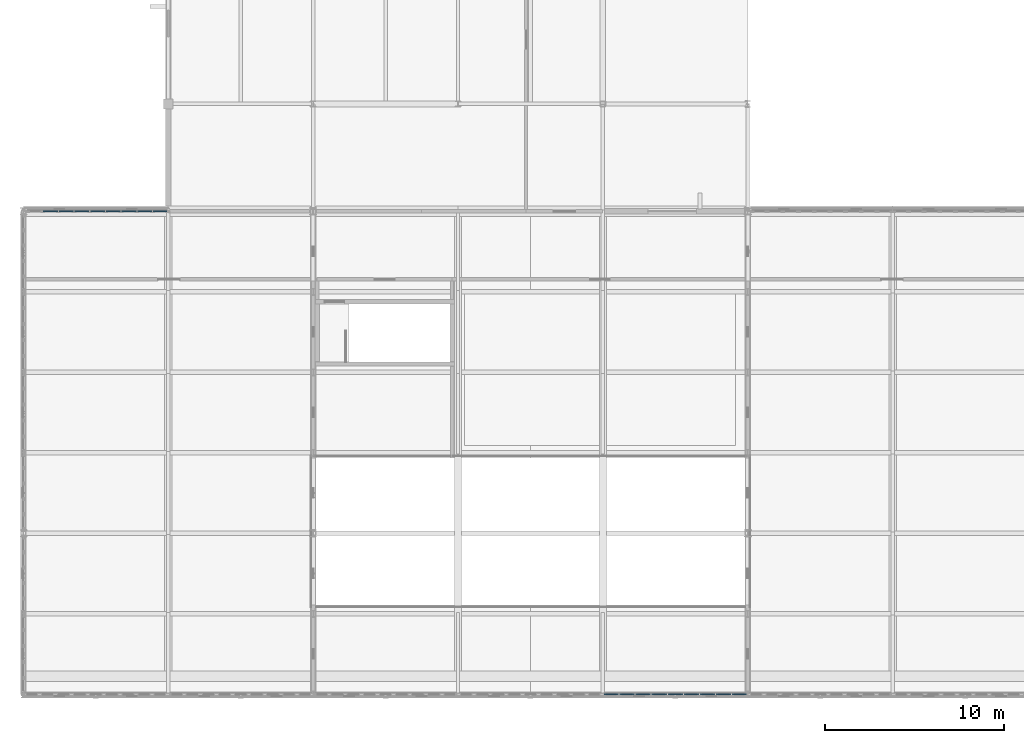
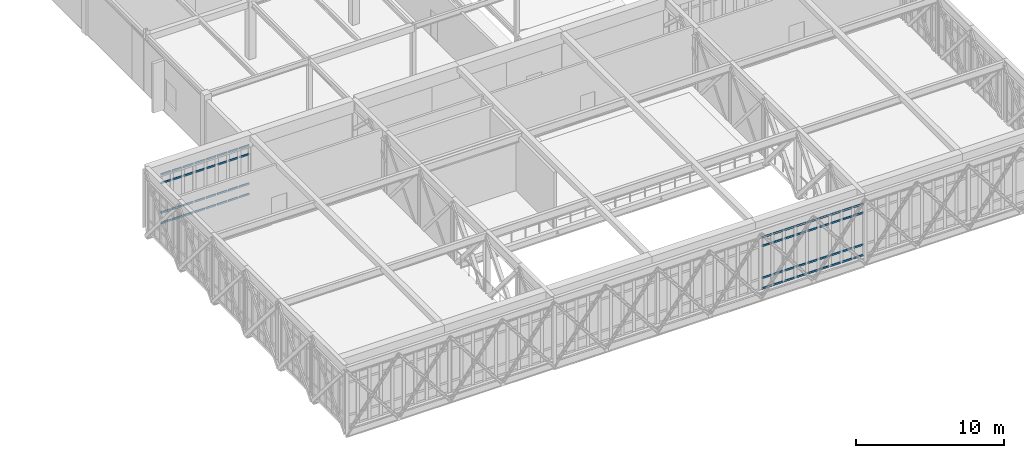
# One storey, part 31 of 70: 68 members, 2 elements without a shape of their own.
"""IFC4 building model written with IfcOpenShell, lengths in metres."""

from ifc_helpers import new_model, si_unit, direction, frame, origin, origin_2d, place, context, subcontext, project, spatial, rectangle, extrude, material, material_profile, profile_set, type_object, element, aggregate, save


model = new_model("IFC4")

# Units and contexts
model_context = context("Model", 3, precision=1e-05, world=origin(), true_north=direction((0.0, 1.0)))
body_context = subcontext(model_context, "Body", "Model", "MODEL_VIEW")
ifc_project = project(units=[si_unit("LENGTHUNIT", "METRE"), si_unit("AREAUNIT", "SQUARE_METRE"), si_unit("VOLUMEUNIT", "CUBIC_METRE"), si_unit("PLANEANGLEUNIT", "RADIAN"), si_unit("MASSUNIT", "GRAM", prefix="KILO")], contexts=[model_context])

# Site, building, storey
site_placement = place(None, origin())
site = spatial("IfcSite", under=ifc_project, at=site_placement, CompositionType="ELEMENT")
building_placement = place(site_placement, origin())
building = spatial("IfcBuilding", under=site, at=building_placement, Name="Tarnveldt Square Police Headquarters", CompositionType="ELEMENT")
storey_placement = place(building_placement, frame((0.0, 0.0, 19.800048828125)))
storey = spatial("IfcBuildingStorey", under=building, at=storey_placement, Name="L04", CompositionType="ELEMENT", Elevation=19.800048828125)

# Curtain wall, members
ifc_material_1 = material(Name="UL 752 Level III laminated ballistic vision glass", Category="glass")
curtain_wall_type_1 = type_object("IfcCurtainWallType", Name="CW-BL-810x429", PredefinedType="USERDEFINED", material=ifc_material_1)
curtain_wall_1_placement = place(storey_placement, origin())
curtain_wall_1 = element("IfcCurtainWall", 1, at=curtain_wall_1_placement, inside=storey, type_object=curtain_wall_type_1, Name="L04 Curtain Wall CW-L04-044", ObjectType="BALLISTIC CURTAIN WALL", PredefinedType="USERDEFINED")
ifc_material_2 = material(Name="Thermally broken anodised aluminium 6063-T6", Category="aluminium")
ifc_material_profile = material_profile(ifc_material_2, rectangle(XDim=0.074951171875, YDim=0.14990234375, at=origin_2d()), Name="CW-T75x150")
ifc_profile_set = profile_set([ifc_material_profile], Name="Thermally broken anodised aluminium 6063-T6")
member_type = type_object("IfcMemberType", Name="CWT-75x150", PredefinedType="USERDEFINED", material=ifc_profile_set)
member_1_placement = place(storey_placement, frame((40.5849609375, 7.0, 0.037353515625), z_axis=(1.0, 0.0, 0.0), x_axis=(0.0, 1.0, 0.0)))
member_1 = element("IfcMember", 2, at=member_1_placement, type_object=member_type, Name="CW-BL18 transom 1.1", ObjectType="TRANSOM", PredefinedType="USERDEFINED", context=body_context, shape_type="SweptSolid", body=[
    extrude(rectangle(XDim=0.074951171875, YDim=0.14990234375, at=origin_2d()), origin(), (0.0, 0.0, 1.0), 0.7724609375),
])
member_2_placement = place(storey_placement, frame((40.5849609375, 7.0, 0.89990234375), z_axis=(1.0, 0.0, 0.0), x_axis=(0.0, 1.0, 0.0)))
member_2 = element("IfcMember", 3, at=member_2_placement, type_object=member_type, Name="CW-BL18 transom 1.2", ObjectType="TRANSOM", PredefinedType="USERDEFINED", context=body_context, shape_type="SweptSolid", body=[
    extrude(rectangle(XDim=0.074951171875, YDim=0.14990234375, at=origin_2d()), origin(), (0.0, 0.0, 1.0), 0.7724609375),
])
member_3_placement = place(storey_placement, frame((40.5849609375, 7.0, 3.538330078125), z_axis=(1.0, 0.0, 0.0), x_axis=(0.0, 1.0, 0.0)))
member_3 = element("IfcMember", 4, at=member_3_placement, type_object=member_type, Name="CW-BL18 transom 1.3", ObjectType="TRANSOM", PredefinedType="USERDEFINED", context=body_context, shape_type="SweptSolid", body=[
    extrude(rectangle(XDim=0.074951171875, YDim=0.14990234375, at=origin_2d()), origin(), (0.0, 0.0, 1.0), 0.7724609375),
])
member_4_placement = place(storey_placement, frame((40.5849609375, 7.0, 4.2509765625), z_axis=(1.0, 0.0, 0.0), x_axis=(0.0, 1.0, 0.0)))
member_4 = element("IfcMember", 5, at=member_4_placement, type_object=member_type, Name="CW-BL18 transom 1.4", ObjectType="TRANSOM", PredefinedType="USERDEFINED", context=body_context, shape_type="SweptSolid", body=[
    extrude(rectangle(XDim=0.074951171875, YDim=0.14990234375, at=origin_2d()), origin(), (0.0, 0.0, 1.0), 0.7724609375),
])
member_5_placement = place(storey_placement, frame((41.4423828125, 7.0, 0.037353515625), z_axis=(1.0, 0.0, 0.0), x_axis=(0.0, 1.0, 0.0)))
member_5 = element("IfcMember", 6, at=member_5_placement, type_object=member_type, Name="CW-BL18 transom 2.1", ObjectType="TRANSOM", PredefinedType="USERDEFINED", context=body_context, shape_type="SweptSolid", body=[
    extrude(rectangle(XDim=0.074951171875, YDim=0.14990234375, at=origin_2d()), origin(), (0.0, 0.0, 1.0), 0.815185546875),
])
member_6_placement = place(storey_placement, frame((41.4423828125, 7.0, 0.89990234375), z_axis=(1.0, 0.0, 0.0), x_axis=(0.0, 1.0, 0.0)))
member_6 = element("IfcMember", 7, at=member_6_placement, type_object=member_type, Name="CW-BL18 transom 2.2", ObjectType="TRANSOM", PredefinedType="USERDEFINED", context=body_context, shape_type="SweptSolid", body=[
    extrude(rectangle(XDim=0.074951171875, YDim=0.14990234375, at=origin_2d()), origin(), (0.0, 0.0, 1.0), 0.815185546875),
])
member_7_placement = place(storey_placement, frame((41.4423828125, 7.0, 3.538330078125), z_axis=(1.0, 0.0, 0.0), x_axis=(0.0, 1.0, 0.0)))
member_7 = element("IfcMember", 8, at=member_7_placement, type_object=member_type, Name="CW-BL18 transom 2.3", ObjectType="TRANSOM", PredefinedType="USERDEFINED", context=body_context, shape_type="SweptSolid", body=[
    extrude(rectangle(XDim=0.074951171875, YDim=0.14990234375, at=origin_2d()), origin(), (0.0, 0.0, 1.0), 0.815185546875),
])
member_8_placement = place(storey_placement, frame((41.4423828125, 7.0, 4.2509765625), z_axis=(1.0, 0.0, 0.0), x_axis=(0.0, 1.0, 0.0)))
member_8 = element("IfcMember", 9, at=member_8_placement, type_object=member_type, Name="CW-BL18 transom 2.4", ObjectType="TRANSOM", PredefinedType="USERDEFINED", context=body_context, shape_type="SweptSolid", body=[
    extrude(rectangle(XDim=0.074951171875, YDim=0.14990234375, at=origin_2d()), origin(), (0.0, 0.0, 1.0), 0.815185546875),
])
member_9_placement = place(storey_placement, frame((42.342529296875, 7.0, 0.037353515625), z_axis=(1.0, 0.0, 0.0), x_axis=(0.0, 1.0, 0.0)))
member_9 = element("IfcMember", 10, at=member_9_placement, type_object=member_type, Name="CW-BL18 transom 3.1", ObjectType="TRANSOM", PredefinedType="USERDEFINED", context=body_context, shape_type="SweptSolid", body=[
    extrude(rectangle(XDim=0.074951171875, YDim=0.14990234375, at=origin_2d()), origin(), (0.0, 0.0, 1.0), 0.81494140625),
])
member_10_placement = place(storey_placement, frame((42.342529296875, 7.0, 0.89990234375), z_axis=(1.0, 0.0, 0.0), x_axis=(0.0, 1.0, 0.0)))
member_10 = element("IfcMember", 11, at=member_10_placement, type_object=member_type, Name="CW-BL18 transom 3.2", ObjectType="TRANSOM", PredefinedType="USERDEFINED", context=body_context, shape_type="SweptSolid", body=[
    extrude(rectangle(XDim=0.074951171875, YDim=0.14990234375, at=origin_2d()), origin(), (0.0, 0.0, 1.0), 0.81494140625),
])
member_11_placement = place(storey_placement, frame((42.342529296875, 7.0, 3.538330078125), z_axis=(1.0, 0.0, 0.0), x_axis=(0.0, 1.0, 0.0)))
member_11 = element("IfcMember", 12, at=member_11_placement, type_object=member_type, Name="CW-BL18 transom 3.3", ObjectType="TRANSOM", PredefinedType="USERDEFINED", context=body_context, shape_type="SweptSolid", body=[
    extrude(rectangle(XDim=0.074951171875, YDim=0.14990234375, at=origin_2d()), origin(), (0.0, 0.0, 1.0), 0.81494140625),
])
member_12_placement = place(storey_placement, frame((42.342529296875, 7.0, 4.2509765625), z_axis=(1.0, 0.0, 0.0), x_axis=(0.0, 1.0, 0.0)))
member_12 = element("IfcMember", 13, at=member_12_placement, type_object=member_type, Name="CW-BL18 transom 3.4", ObjectType="TRANSOM", PredefinedType="USERDEFINED", context=body_context, shape_type="SweptSolid", body=[
    extrude(rectangle(XDim=0.074951171875, YDim=0.14990234375, at=origin_2d()), origin(), (0.0, 0.0, 1.0), 0.81494140625),
])
member_13_placement = place(storey_placement, frame((43.242431640625, 7.0, 0.037353515625), z_axis=(1.0, 0.0, 0.0), x_axis=(0.0, 1.0, 0.0)))
member_13 = element("IfcMember", 14, at=member_13_placement, type_object=member_type, Name="CW-BL18 transom 4.1", ObjectType="TRANSOM", PredefinedType="USERDEFINED", context=body_context, shape_type="SweptSolid", body=[
    extrude(rectangle(XDim=0.074951171875, YDim=0.14990234375, at=origin_2d()), origin(), (0.0, 0.0, 1.0), 0.815185546875),
])
member_14_placement = place(storey_placement, frame((43.242431640625, 7.0, 0.89990234375), z_axis=(1.0, 0.0, 0.0), x_axis=(0.0, 1.0, 0.0)))
member_14 = element("IfcMember", 15, at=member_14_placement, type_object=member_type, Name="CW-BL18 transom 4.2", ObjectType="TRANSOM", PredefinedType="USERDEFINED", context=body_context, shape_type="SweptSolid", body=[
    extrude(rectangle(XDim=0.074951171875, YDim=0.14990234375, at=origin_2d()), origin(), (0.0, 0.0, 1.0), 0.815185546875),
])
member_15_placement = place(storey_placement, frame((43.242431640625, 7.0, 3.538330078125), z_axis=(1.0, 0.0, 0.0), x_axis=(0.0, 1.0, 0.0)))
member_15 = element("IfcMember", 16, at=member_15_placement, type_object=member_type, Name="CW-BL18 transom 4.3", ObjectType="TRANSOM", PredefinedType="USERDEFINED", context=body_context, shape_type="SweptSolid", body=[
    extrude(rectangle(XDim=0.074951171875, YDim=0.14990234375, at=origin_2d()), origin(), (0.0, 0.0, 1.0), 0.815185546875),
])
member_16_placement = place(storey_placement, frame((43.242431640625, 7.0, 4.2509765625), z_axis=(1.0, 0.0, 0.0), x_axis=(0.0, 1.0, 0.0)))
member_16 = element("IfcMember", 17, at=member_16_placement, type_object=member_type, Name="CW-BL18 transom 4.4", ObjectType="TRANSOM", PredefinedType="USERDEFINED", context=body_context, shape_type="SweptSolid", body=[
    extrude(rectangle(XDim=0.074951171875, YDim=0.14990234375, at=origin_2d()), origin(), (0.0, 0.0, 1.0), 0.815185546875),
])
member_17_placement = place(storey_placement, frame((44.142578125, 7.0, 0.037353515625), z_axis=(1.0, 0.0, 0.0), x_axis=(0.0, 1.0, 0.0)))
member_17 = element("IfcMember", 18, at=member_17_placement, type_object=member_type, Name="CW-BL18 transom 5.1", ObjectType="TRANSOM", PredefinedType="USERDEFINED", context=body_context, shape_type="SweptSolid", body=[
    extrude(rectangle(XDim=0.074951171875, YDim=0.14990234375, at=origin_2d()), origin(), (0.0, 0.0, 1.0), 0.81494140625),
])
member_18_placement = place(storey_placement, frame((44.142578125, 7.0, 0.89990234375), z_axis=(1.0, 0.0, 0.0), x_axis=(0.0, 1.0, 0.0)))
member_18 = element("IfcMember", 19, at=member_18_placement, type_object=member_type, Name="CW-BL18 transom 5.2", ObjectType="TRANSOM", PredefinedType="USERDEFINED", context=body_context, shape_type="SweptSolid", body=[
    extrude(rectangle(XDim=0.074951171875, YDim=0.14990234375, at=origin_2d()), origin(), (0.0, 0.0, 1.0), 0.81494140625),
])
member_19_placement = place(storey_placement, frame((44.142578125, 7.0, 3.538330078125), z_axis=(1.0, 0.0, 0.0), x_axis=(0.0, 1.0, 0.0)))
member_19 = element("IfcMember", 20, at=member_19_placement, type_object=member_type, Name="CW-BL18 transom 5.3", ObjectType="TRANSOM", PredefinedType="USERDEFINED", context=body_context, shape_type="SweptSolid", body=[
    extrude(rectangle(XDim=0.074951171875, YDim=0.14990234375, at=origin_2d()), origin(), (0.0, 0.0, 1.0), 0.81494140625),
])
member_20_placement = place(storey_placement, frame((44.142578125, 7.0, 4.2509765625), z_axis=(1.0, 0.0, 0.0), x_axis=(0.0, 1.0, 0.0)))
member_20 = element("IfcMember", 21, at=member_20_placement, type_object=member_type, Name="CW-BL18 transom 5.4", ObjectType="TRANSOM", PredefinedType="USERDEFINED", context=body_context, shape_type="SweptSolid", body=[
    extrude(rectangle(XDim=0.074951171875, YDim=0.14990234375, at=origin_2d()), origin(), (0.0, 0.0, 1.0), 0.81494140625),
])
member_21_placement = place(storey_placement, frame((45.04248046875, 7.0, 0.037353515625), z_axis=(1.0, 0.0, 0.0), x_axis=(0.0, 1.0, 0.0)))
member_21 = element("IfcMember", 22, at=member_21_placement, type_object=member_type, Name="CW-BL18 transom 6.1", ObjectType="TRANSOM", PredefinedType="USERDEFINED", context=body_context, shape_type="SweptSolid", body=[
    extrude(rectangle(XDim=0.074951171875, YDim=0.14990234375, at=origin_2d()), origin(), (0.0, 0.0, 1.0), 0.81494140625),
])
member_22_placement = place(storey_placement, frame((45.04248046875, 7.0, 0.89990234375), z_axis=(1.0, 0.0, 0.0), x_axis=(0.0, 1.0, 0.0)))
member_22 = element("IfcMember", 23, at=member_22_placement, type_object=member_type, Name="CW-BL18 transom 6.2", ObjectType="TRANSOM", PredefinedType="USERDEFINED", context=body_context, shape_type="SweptSolid", body=[
    extrude(rectangle(XDim=0.074951171875, YDim=0.14990234375, at=origin_2d()), origin(), (0.0, 0.0, 1.0), 0.81494140625),
])
member_23_placement = place(storey_placement, frame((45.04248046875, 7.0, 3.538330078125), z_axis=(1.0, 0.0, 0.0), x_axis=(0.0, 1.0, 0.0)))
member_23 = element("IfcMember", 24, at=member_23_placement, type_object=member_type, Name="CW-BL18 transom 6.3", ObjectType="TRANSOM", PredefinedType="USERDEFINED", context=body_context, shape_type="SweptSolid", body=[
    extrude(rectangle(XDim=0.074951171875, YDim=0.14990234375, at=origin_2d()), origin(), (0.0, 0.0, 1.0), 0.81494140625),
])
member_24_placement = place(storey_placement, frame((45.04248046875, 7.0, 4.2509765625), z_axis=(1.0, 0.0, 0.0), x_axis=(0.0, 1.0, 0.0)))
member_24 = element("IfcMember", 25, at=member_24_placement, type_object=member_type, Name="CW-BL18 transom 6.4", ObjectType="TRANSOM", PredefinedType="USERDEFINED", context=body_context, shape_type="SweptSolid", body=[
    extrude(rectangle(XDim=0.074951171875, YDim=0.14990234375, at=origin_2d()), origin(), (0.0, 0.0, 1.0), 0.81494140625),
])
member_25_placement = place(storey_placement, frame((45.9423828125, 7.0, 0.037353515625), z_axis=(1.0, 0.0, 0.0), x_axis=(0.0, 1.0, 0.0)))
member_25 = element("IfcMember", 26, at=member_25_placement, type_object=member_type, Name="CW-BL18 transom 7.1", ObjectType="TRANSOM", PredefinedType="USERDEFINED", context=body_context, shape_type="SweptSolid", body=[
    extrude(rectangle(XDim=0.074951171875, YDim=0.14990234375, at=origin_2d()), origin(), (0.0, 0.0, 1.0), 0.815185546875),
])
member_26_placement = place(storey_placement, frame((45.9423828125, 7.0, 0.89990234375), z_axis=(1.0, 0.0, 0.0), x_axis=(0.0, 1.0, 0.0)))
member_26 = element("IfcMember", 27, at=member_26_placement, type_object=member_type, Name="CW-BL18 transom 7.2", ObjectType="TRANSOM", PredefinedType="USERDEFINED", context=body_context, shape_type="SweptSolid", body=[
    extrude(rectangle(XDim=0.074951171875, YDim=0.14990234375, at=origin_2d()), origin(), (0.0, 0.0, 1.0), 0.815185546875),
])
member_27_placement = place(storey_placement, frame((45.9423828125, 7.0, 3.538330078125), z_axis=(1.0, 0.0, 0.0), x_axis=(0.0, 1.0, 0.0)))
member_27 = element("IfcMember", 28, at=member_27_placement, type_object=member_type, Name="CW-BL18 transom 7.3", ObjectType="TRANSOM", PredefinedType="USERDEFINED", context=body_context, shape_type="SweptSolid", body=[
    extrude(rectangle(XDim=0.074951171875, YDim=0.14990234375, at=origin_2d()), origin(), (0.0, 0.0, 1.0), 0.815185546875),
])
member_28_placement = place(storey_placement, frame((45.9423828125, 7.0, 4.2509765625), z_axis=(1.0, 0.0, 0.0), x_axis=(0.0, 1.0, 0.0)))
member_28 = element("IfcMember", 29, at=member_28_placement, type_object=member_type, Name="CW-BL18 transom 7.4", ObjectType="TRANSOM", PredefinedType="USERDEFINED", context=body_context, shape_type="SweptSolid", body=[
    extrude(rectangle(XDim=0.074951171875, YDim=0.14990234375, at=origin_2d()), origin(), (0.0, 0.0, 1.0), 0.815185546875),
])
member_29_placement = place(storey_placement, frame((46.842529296875, 7.0, 0.037353515625), z_axis=(1.0, 0.0, 0.0), x_axis=(0.0, 1.0, 0.0)))
member_29 = element("IfcMember", 30, at=member_29_placement, type_object=member_type, Name="CW-BL18 transom 8.1", ObjectType="TRANSOM", PredefinedType="USERDEFINED", context=body_context, shape_type="SweptSolid", body=[
    extrude(rectangle(XDim=0.074951171875, YDim=0.14990234375, at=origin_2d()), origin(), (0.0, 0.0, 1.0), 0.81494140625),
])
member_30_placement = place(storey_placement, frame((46.842529296875, 7.0, 0.89990234375), z_axis=(1.0, 0.0, 0.0), x_axis=(0.0, 1.0, 0.0)))
member_30 = element("IfcMember", 31, at=member_30_placement, type_object=member_type, Name="CW-BL18 transom 8.2", ObjectType="TRANSOM", PredefinedType="USERDEFINED", context=body_context, shape_type="SweptSolid", body=[
    extrude(rectangle(XDim=0.074951171875, YDim=0.14990234375, at=origin_2d()), origin(), (0.0, 0.0, 1.0), 0.81494140625),
])
member_31_placement = place(storey_placement, frame((46.842529296875, 7.0, 3.538330078125), z_axis=(1.0, 0.0, 0.0), x_axis=(0.0, 1.0, 0.0)))
member_31 = element("IfcMember", 32, at=member_31_placement, type_object=member_type, Name="CW-BL18 transom 8.3", ObjectType="TRANSOM", PredefinedType="USERDEFINED", context=body_context, shape_type="SweptSolid", body=[
    extrude(rectangle(XDim=0.074951171875, YDim=0.14990234375, at=origin_2d()), origin(), (0.0, 0.0, 1.0), 0.81494140625),
])
member_32_placement = place(storey_placement, frame((46.842529296875, 7.0, 4.2509765625), z_axis=(1.0, 0.0, 0.0), x_axis=(0.0, 1.0, 0.0)))
member_32 = element("IfcMember", 33, at=member_32_placement, type_object=member_type, Name="CW-BL18 transom 8.4", ObjectType="TRANSOM", PredefinedType="USERDEFINED", context=body_context, shape_type="SweptSolid", body=[
    extrude(rectangle(XDim=0.074951171875, YDim=0.14990234375, at=origin_2d()), origin(), (0.0, 0.0, 1.0), 0.81494140625),
])
member_33_placement = place(storey_placement, frame((47.742431640625, 7.0, 0.037353515625), z_axis=(1.0, 0.0, 0.0), x_axis=(0.0, 1.0, 0.0)))
member_33 = element("IfcMember", 34, at=member_33_placement, type_object=member_type, Name="CW-BL18 transom 9.1", ObjectType="TRANSOM", PredefinedType="USERDEFINED", context=body_context, shape_type="SweptSolid", body=[
    extrude(rectangle(XDim=0.074951171875, YDim=0.14990234375, at=origin_2d()), origin(), (0.0, 0.0, 1.0), 0.7724609375),
])
member_34_placement = place(storey_placement, frame((47.742431640625, 7.0, 0.89990234375), z_axis=(1.0, 0.0, 0.0), x_axis=(0.0, 1.0, 0.0)))
member_34 = element("IfcMember", 35, at=member_34_placement, type_object=member_type, Name="CW-BL18 transom 9.2", ObjectType="TRANSOM", PredefinedType="USERDEFINED", context=body_context, shape_type="SweptSolid", body=[
    extrude(rectangle(XDim=0.074951171875, YDim=0.14990234375, at=origin_2d()), origin(), (0.0, 0.0, 1.0), 0.7724609375),
])
member_35_placement = place(storey_placement, frame((47.742431640625, 7.0, 3.538330078125), z_axis=(1.0, 0.0, 0.0), x_axis=(0.0, 1.0, 0.0)))
member_35 = element("IfcMember", 36, at=member_35_placement, type_object=member_type, Name="CW-BL18 transom 9.3", ObjectType="TRANSOM", PredefinedType="USERDEFINED", context=body_context, shape_type="SweptSolid", body=[
    extrude(rectangle(XDim=0.074951171875, YDim=0.14990234375, at=origin_2d()), origin(), (0.0, 0.0, 1.0), 0.7724609375),
])
member_36_placement = place(storey_placement, frame((47.742431640625, 7.0, 4.2509765625), z_axis=(1.0, 0.0, 0.0), x_axis=(0.0, 1.0, 0.0)))
member_36 = element("IfcMember", 37, at=member_36_placement, type_object=member_type, Name="CW-BL18 transom 9.4", ObjectType="TRANSOM", PredefinedType="USERDEFINED", context=body_context, shape_type="SweptSolid", body=[
    extrude(rectangle(XDim=0.074951171875, YDim=0.14990234375, at=origin_2d()), origin(), (0.0, 0.0, 1.0), 0.7724609375),
])
aggregate(curtain_wall_1, [member_1, member_2, member_3, member_4, member_5, member_6, member_7, member_8, member_9, member_10, member_11, member_12, member_13, member_14, member_15, member_16, member_17, member_18, member_19, member_20, member_21, member_22, member_23, member_24, member_25, member_26, member_27, member_28, member_29, member_30, member_31, member_32, member_33, member_34, member_35, member_36])

curtain_wall_type_2 = type_object("IfcCurtainWallType", Name="CW-BL-790x409", PredefinedType="USERDEFINED", material=ifc_material_1)
curtain_wall_2_placement = place(storey_placement, origin())
curtain_wall_2 = element("IfcCurtainWall", 38, at=curtain_wall_2_placement, inside=storey, type_object=curtain_wall_type_2, Name="L04 Curtain Wall CW-L04-047", ObjectType="BALLISTIC CURTAIN WALL", PredefinedType="USERDEFINED")
member_37_placement = place(storey_placement, frame((9.22216796875, 34.0, 0.037353515625), z_axis=(1.0, 0.0, 0.0), x_axis=(0.0, 1.0, 0.0)))
member_37 = element("IfcMember", 39, at=member_37_placement, type_object=member_type, Name="CW-BL19 transom 2.1", ObjectType="TRANSOM", PredefinedType="USERDEFINED", context=body_context, shape_type="SweptSolid", body=[
    extrude(rectangle(XDim=0.074951171875, YDim=0.14990234375, at=origin_2d()), origin(), (0.0, 0.0, 1.0), 0.79248046875),
])
member_38_placement = place(storey_placement, frame((9.22216796875, 34.0, 0.89990234375), z_axis=(1.0, 0.0, 0.0), x_axis=(0.0, 1.0, 0.0)))
member_38 = element("IfcMember", 40, at=member_38_placement, type_object=member_type, Name="CW-BL19 transom 2.2", ObjectType="TRANSOM", PredefinedType="USERDEFINED", context=body_context, shape_type="SweptSolid", body=[
    extrude(rectangle(XDim=0.074951171875, YDim=0.14990234375, at=origin_2d()), origin(), (0.0, 0.0, 1.0), 0.79248046875),
])
member_39_placement = place(storey_placement, frame((9.22216796875, 34.0, 3.342041015625), z_axis=(1.0, 0.0, 0.0), x_axis=(0.0, 1.0, 0.0)))
member_39 = element("IfcMember", 41, at=member_39_placement, type_object=member_type, Name="CW-BL19 transom 2.3", ObjectType="TRANSOM", PredefinedType="USERDEFINED", context=body_context, shape_type="SweptSolid", body=[
    extrude(rectangle(XDim=0.074951171875, YDim=0.14990234375, at=origin_2d()), origin(), (0.0, 0.0, 1.0), 0.79248046875),
])
member_40_placement = place(storey_placement, frame((9.22216796875, 34.0, 4.054443359375), z_axis=(1.0, 0.0, 0.0), x_axis=(0.0, 1.0, 0.0)))
member_40 = element("IfcMember", 42, at=member_40_placement, type_object=member_type, Name="CW-BL19 transom 2.4", ObjectType="TRANSOM", PredefinedType="USERDEFINED", context=body_context, shape_type="SweptSolid", body=[
    extrude(rectangle(XDim=0.074951171875, YDim=0.14990234375, at=origin_2d()), origin(), (0.0, 0.0, 1.0), 0.79248046875),
])
member_41_placement = place(storey_placement, frame((10.099609375, 34.0, 0.037353515625), z_axis=(1.0, 0.0, 0.0), x_axis=(0.0, 1.0, 0.0)))
member_41 = element("IfcMember", 43, at=member_41_placement, type_object=member_type, Name="CW-BL19 transom 3.1", ObjectType="TRANSOM", PredefinedType="USERDEFINED", context=body_context, shape_type="SweptSolid", body=[
    extrude(rectangle(XDim=0.074951171875, YDim=0.14990234375, at=origin_2d()), origin(), (0.0, 0.0, 1.0), 0.79248046875),
])
member_42_placement = place(storey_placement, frame((10.099609375, 34.0, 0.89990234375), z_axis=(1.0, 0.0, 0.0), x_axis=(0.0, 1.0, 0.0)))
member_42 = element("IfcMember", 44, at=member_42_placement, type_object=member_type, Name="CW-BL19 transom 3.2", ObjectType="TRANSOM", PredefinedType="USERDEFINED", context=body_context, shape_type="SweptSolid", body=[
    extrude(rectangle(XDim=0.074951171875, YDim=0.14990234375, at=origin_2d()), origin(), (0.0, 0.0, 1.0), 0.79248046875),
])
member_43_placement = place(storey_placement, frame((10.099609375, 34.0, 3.342041015625), z_axis=(1.0, 0.0, 0.0), x_axis=(0.0, 1.0, 0.0)))
member_43 = element("IfcMember", 45, at=member_43_placement, type_object=member_type, Name="CW-BL19 transom 3.3", ObjectType="TRANSOM", PredefinedType="USERDEFINED", context=body_context, shape_type="SweptSolid", body=[
    extrude(rectangle(XDim=0.074951171875, YDim=0.14990234375, at=origin_2d()), origin(), (0.0, 0.0, 1.0), 0.79248046875),
])
member_44_placement = place(storey_placement, frame((10.099609375, 34.0, 4.054443359375), z_axis=(1.0, 0.0, 0.0), x_axis=(0.0, 1.0, 0.0)))
member_44 = element("IfcMember", 46, at=member_44_placement, type_object=member_type, Name="CW-BL19 transom 3.4", ObjectType="TRANSOM", PredefinedType="USERDEFINED", context=body_context, shape_type="SweptSolid", body=[
    extrude(rectangle(XDim=0.074951171875, YDim=0.14990234375, at=origin_2d()), origin(), (0.0, 0.0, 1.0), 0.79248046875),
])
member_45_placement = place(storey_placement, frame((10.97705078125, 34.0, 0.037353515625), z_axis=(1.0, 0.0, 0.0), x_axis=(0.0, 1.0, 0.0)))
member_45 = element("IfcMember", 47, at=member_45_placement, type_object=member_type, Name="CW-BL19 transom 4.1", ObjectType="TRANSOM", PredefinedType="USERDEFINED", context=body_context, shape_type="SweptSolid", body=[
    extrude(rectangle(XDim=0.074951171875, YDim=0.14990234375, at=origin_2d()), origin(), (0.0, 0.0, 1.0), 0.792724609375),
])
member_46_placement = place(storey_placement, frame((10.97705078125, 34.0, 0.89990234375), z_axis=(1.0, 0.0, 0.0), x_axis=(0.0, 1.0, 0.0)))
member_46 = element("IfcMember", 48, at=member_46_placement, type_object=member_type, Name="CW-BL19 transom 4.2", ObjectType="TRANSOM", PredefinedType="USERDEFINED", context=body_context, shape_type="SweptSolid", body=[
    extrude(rectangle(XDim=0.074951171875, YDim=0.14990234375, at=origin_2d()), origin(), (0.0, 0.0, 1.0), 0.792724609375),
])
member_47_placement = place(storey_placement, frame((10.97705078125, 34.0, 3.342041015625), z_axis=(1.0, 0.0, 0.0), x_axis=(0.0, 1.0, 0.0)))
member_47 = element("IfcMember", 49, at=member_47_placement, type_object=member_type, Name="CW-BL19 transom 4.3", ObjectType="TRANSOM", PredefinedType="USERDEFINED", context=body_context, shape_type="SweptSolid", body=[
    extrude(rectangle(XDim=0.074951171875, YDim=0.14990234375, at=origin_2d()), origin(), (0.0, 0.0, 1.0), 0.792724609375),
])
member_48_placement = place(storey_placement, frame((10.97705078125, 34.0, 4.054443359375), z_axis=(1.0, 0.0, 0.0), x_axis=(0.0, 1.0, 0.0)))
member_48 = element("IfcMember", 50, at=member_48_placement, type_object=member_type, Name="CW-BL19 transom 4.4", ObjectType="TRANSOM", PredefinedType="USERDEFINED", context=body_context, shape_type="SweptSolid", body=[
    extrude(rectangle(XDim=0.074951171875, YDim=0.14990234375, at=origin_2d()), origin(), (0.0, 0.0, 1.0), 0.792724609375),
])
member_49_placement = place(storey_placement, frame((11.854736328125, 34.0, 0.037353515625), z_axis=(1.0, 0.0, 0.0), x_axis=(0.0, 1.0, 0.0)))
member_49 = element("IfcMember", 51, at=member_49_placement, type_object=member_type, Name="CW-BL19 transom 5.1", ObjectType="TRANSOM", PredefinedType="USERDEFINED", context=body_context, shape_type="SweptSolid", body=[
    extrude(rectangle(XDim=0.074951171875, YDim=0.14990234375, at=origin_2d()), origin(), (0.0, 0.0, 1.0), 0.79248046875),
])
member_50_placement = place(storey_placement, frame((11.854736328125, 34.0, 0.89990234375), z_axis=(1.0, 0.0, 0.0), x_axis=(0.0, 1.0, 0.0)))
member_50 = element("IfcMember", 52, at=member_50_placement, type_object=member_type, Name="CW-BL19 transom 5.2", ObjectType="TRANSOM", PredefinedType="USERDEFINED", context=body_context, shape_type="SweptSolid", body=[
    extrude(rectangle(XDim=0.074951171875, YDim=0.14990234375, at=origin_2d()), origin(), (0.0, 0.0, 1.0), 0.79248046875),
])
member_51_placement = place(storey_placement, frame((11.854736328125, 34.0, 3.342041015625), z_axis=(1.0, 0.0, 0.0), x_axis=(0.0, 1.0, 0.0)))
member_51 = element("IfcMember", 53, at=member_51_placement, type_object=member_type, Name="CW-BL19 transom 5.3", ObjectType="TRANSOM", PredefinedType="USERDEFINED", context=body_context, shape_type="SweptSolid", body=[
    extrude(rectangle(XDim=0.074951171875, YDim=0.14990234375, at=origin_2d()), origin(), (0.0, 0.0, 1.0), 0.79248046875),
])
member_52_placement = place(storey_placement, frame((11.854736328125, 34.0, 4.054443359375), z_axis=(1.0, 0.0, 0.0), x_axis=(0.0, 1.0, 0.0)))
member_52 = element("IfcMember", 54, at=member_52_placement, type_object=member_type, Name="CW-BL19 transom 5.4", ObjectType="TRANSOM", PredefinedType="USERDEFINED", context=body_context, shape_type="SweptSolid", body=[
    extrude(rectangle(XDim=0.074951171875, YDim=0.14990234375, at=origin_2d()), origin(), (0.0, 0.0, 1.0), 0.79248046875),
])
member_53_placement = place(storey_placement, frame((12.732177734375, 34.0, 0.037353515625), z_axis=(1.0, 0.0, 0.0), x_axis=(0.0, 1.0, 0.0)))
member_53 = element("IfcMember", 55, at=member_53_placement, type_object=member_type, Name="CW-BL19 transom 6.1", ObjectType="TRANSOM", PredefinedType="USERDEFINED", context=body_context, shape_type="SweptSolid", body=[
    extrude(rectangle(XDim=0.074951171875, YDim=0.14990234375, at=origin_2d()), origin(), (0.0, 0.0, 1.0), 0.792724609375),
])
member_54_placement = place(storey_placement, frame((12.732177734375, 34.0, 0.89990234375), z_axis=(1.0, 0.0, 0.0), x_axis=(0.0, 1.0, 0.0)))
member_54 = element("IfcMember", 56, at=member_54_placement, type_object=member_type, Name="CW-BL19 transom 6.2", ObjectType="TRANSOM", PredefinedType="USERDEFINED", context=body_context, shape_type="SweptSolid", body=[
    extrude(rectangle(XDim=0.074951171875, YDim=0.14990234375, at=origin_2d()), origin(), (0.0, 0.0, 1.0), 0.792724609375),
])
member_55_placement = place(storey_placement, frame((12.732177734375, 34.0, 3.342041015625), z_axis=(1.0, 0.0, 0.0), x_axis=(0.0, 1.0, 0.0)))
member_55 = element("IfcMember", 57, at=member_55_placement, type_object=member_type, Name="CW-BL19 transom 6.3", ObjectType="TRANSOM", PredefinedType="USERDEFINED", context=body_context, shape_type="SweptSolid", body=[
    extrude(rectangle(XDim=0.074951171875, YDim=0.14990234375, at=origin_2d()), origin(), (0.0, 0.0, 1.0), 0.792724609375),
])
member_56_placement = place(storey_placement, frame((12.732177734375, 34.0, 4.054443359375), z_axis=(1.0, 0.0, 0.0), x_axis=(0.0, 1.0, 0.0)))
member_56 = element("IfcMember", 58, at=member_56_placement, type_object=member_type, Name="CW-BL19 transom 6.4", ObjectType="TRANSOM", PredefinedType="USERDEFINED", context=body_context, shape_type="SweptSolid", body=[
    extrude(rectangle(XDim=0.074951171875, YDim=0.14990234375, at=origin_2d()), origin(), (0.0, 0.0, 1.0), 0.792724609375),
])
member_57_placement = place(storey_placement, frame((13.60986328125, 34.0, 0.037353515625), z_axis=(1.0, 0.0, 0.0), x_axis=(0.0, 1.0, 0.0)))
member_57 = element("IfcMember", 59, at=member_57_placement, type_object=member_type, Name="CW-BL19 transom 7.1", ObjectType="TRANSOM", PredefinedType="USERDEFINED", context=body_context, shape_type="SweptSolid", body=[
    extrude(rectangle(XDim=0.074951171875, YDim=0.14990234375, at=origin_2d()), origin(), (0.0, 0.0, 1.0), 0.79248046875),
])
member_58_placement = place(storey_placement, frame((13.60986328125, 34.0, 0.89990234375), z_axis=(1.0, 0.0, 0.0), x_axis=(0.0, 1.0, 0.0)))
member_58 = element("IfcMember", 60, at=member_58_placement, type_object=member_type, Name="CW-BL19 transom 7.2", ObjectType="TRANSOM", PredefinedType="USERDEFINED", context=body_context, shape_type="SweptSolid", body=[
    extrude(rectangle(XDim=0.074951171875, YDim=0.14990234375, at=origin_2d()), origin(), (0.0, 0.0, 1.0), 0.79248046875),
])
member_59_placement = place(storey_placement, frame((13.60986328125, 34.0, 3.342041015625), z_axis=(1.0, 0.0, 0.0), x_axis=(0.0, 1.0, 0.0)))
member_59 = element("IfcMember", 61, at=member_59_placement, type_object=member_type, Name="CW-BL19 transom 7.3", ObjectType="TRANSOM", PredefinedType="USERDEFINED", context=body_context, shape_type="SweptSolid", body=[
    extrude(rectangle(XDim=0.074951171875, YDim=0.14990234375, at=origin_2d()), origin(), (0.0, 0.0, 1.0), 0.79248046875),
])
member_60_placement = place(storey_placement, frame((13.60986328125, 34.0, 4.054443359375), z_axis=(1.0, 0.0, 0.0), x_axis=(0.0, 1.0, 0.0)))
member_60 = element("IfcMember", 62, at=member_60_placement, type_object=member_type, Name="CW-BL19 transom 7.4", ObjectType="TRANSOM", PredefinedType="USERDEFINED", context=body_context, shape_type="SweptSolid", body=[
    extrude(rectangle(XDim=0.074951171875, YDim=0.14990234375, at=origin_2d()), origin(), (0.0, 0.0, 1.0), 0.79248046875),
])
member_61_placement = place(storey_placement, frame((14.4873046875, 34.0, 0.037353515625), z_axis=(1.0, 0.0, 0.0), x_axis=(0.0, 1.0, 0.0)))
member_61 = element("IfcMember", 63, at=member_61_placement, type_object=member_type, Name="CW-BL19 transom 8.1", ObjectType="TRANSOM", PredefinedType="USERDEFINED", context=body_context, shape_type="SweptSolid", body=[
    extrude(rectangle(XDim=0.074951171875, YDim=0.14990234375, at=origin_2d()), origin(), (0.0, 0.0, 1.0), 0.792724609375),
])
member_62_placement = place(storey_placement, frame((14.4873046875, 34.0, 0.89990234375), z_axis=(1.0, 0.0, 0.0), x_axis=(0.0, 1.0, 0.0)))
member_62 = element("IfcMember", 64, at=member_62_placement, type_object=member_type, Name="CW-BL19 transom 8.2", ObjectType="TRANSOM", PredefinedType="USERDEFINED", context=body_context, shape_type="SweptSolid", body=[
    extrude(rectangle(XDim=0.074951171875, YDim=0.14990234375, at=origin_2d()), origin(), (0.0, 0.0, 1.0), 0.792724609375),
])
member_63_placement = place(storey_placement, frame((14.4873046875, 34.0, 3.342041015625), z_axis=(1.0, 0.0, 0.0), x_axis=(0.0, 1.0, 0.0)))
member_63 = element("IfcMember", 65, at=member_63_placement, type_object=member_type, Name="CW-BL19 transom 8.3", ObjectType="TRANSOM", PredefinedType="USERDEFINED", context=body_context, shape_type="SweptSolid", body=[
    extrude(rectangle(XDim=0.074951171875, YDim=0.14990234375, at=origin_2d()), origin(), (0.0, 0.0, 1.0), 0.792724609375),
])
member_64_placement = place(storey_placement, frame((14.4873046875, 34.0, 4.054443359375), z_axis=(1.0, 0.0, 0.0), x_axis=(0.0, 1.0, 0.0)))
member_64 = element("IfcMember", 66, at=member_64_placement, type_object=member_type, Name="CW-BL19 transom 8.4", ObjectType="TRANSOM", PredefinedType="USERDEFINED", context=body_context, shape_type="SweptSolid", body=[
    extrude(rectangle(XDim=0.074951171875, YDim=0.14990234375, at=origin_2d()), origin(), (0.0, 0.0, 1.0), 0.792724609375),
])
member_65_placement = place(storey_placement, frame((15.364990234375, 34.0, 0.037353515625), z_axis=(1.0, 0.0, 0.0), x_axis=(0.0, 1.0, 0.0)))
member_65 = element("IfcMember", 67, at=member_65_placement, type_object=member_type, Name="CW-BL19 transom 9.1", ObjectType="TRANSOM", PredefinedType="USERDEFINED", context=body_context, shape_type="SweptSolid", body=[
    extrude(rectangle(XDim=0.074951171875, YDim=0.14990234375, at=origin_2d()), origin(), (0.0, 0.0, 1.0), 0.75),
])
member_66_placement = place(storey_placement, frame((15.364990234375, 34.0, 0.89990234375), z_axis=(1.0, 0.0, 0.0), x_axis=(0.0, 1.0, 0.0)))
member_66 = element("IfcMember", 68, at=member_66_placement, type_object=member_type, Name="CW-BL19 transom 9.2", ObjectType="TRANSOM", PredefinedType="USERDEFINED", context=body_context, shape_type="SweptSolid", body=[
    extrude(rectangle(XDim=0.074951171875, YDim=0.14990234375, at=origin_2d()), origin(), (0.0, 0.0, 1.0), 0.75),
])
member_67_placement = place(storey_placement, frame((15.364990234375, 34.0, 3.342041015625), z_axis=(1.0, 0.0, 0.0), x_axis=(0.0, 1.0, 0.0)))
member_67 = element("IfcMember", 69, at=member_67_placement, type_object=member_type, Name="CW-BL19 transom 9.3", ObjectType="TRANSOM", PredefinedType="USERDEFINED", context=body_context, shape_type="SweptSolid", body=[
    extrude(rectangle(XDim=0.074951171875, YDim=0.14990234375, at=origin_2d()), origin(), (0.0, 0.0, 1.0), 0.75),
])
member_68_placement = place(storey_placement, frame((15.364990234375, 34.0, 4.054443359375), z_axis=(1.0, 0.0, 0.0), x_axis=(0.0, 1.0, 0.0)))
member_68 = element("IfcMember", 70, at=member_68_placement, type_object=member_type, Name="CW-BL19 transom 9.4", ObjectType="TRANSOM", PredefinedType="USERDEFINED", context=body_context, shape_type="SweptSolid", body=[
    extrude(rectangle(XDim=0.074951171875, YDim=0.14990234375, at=origin_2d()), origin(), (0.0, 0.0, 1.0), 0.75),
])
aggregate(curtain_wall_2, [member_37, member_38, member_39, member_40, member_41, member_42, member_43, member_44, member_45, member_46, member_47, member_48, member_49, member_50, member_51, member_52, member_53, member_54, member_55, member_56, member_57, member_58, member_59, member_60, member_61, member_62, member_63, member_64, member_65, member_66, member_67, member_68])

save(model, "model.ifc")
